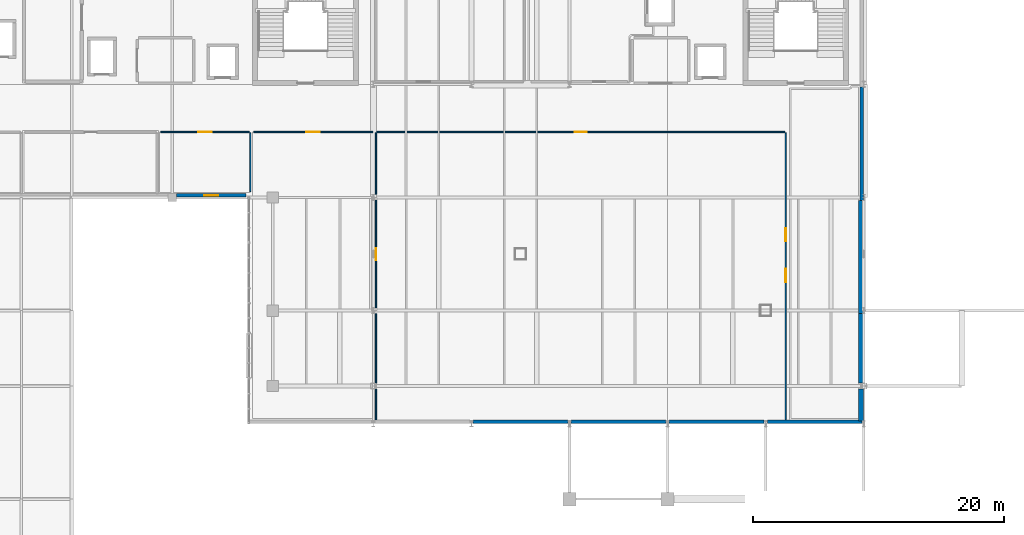
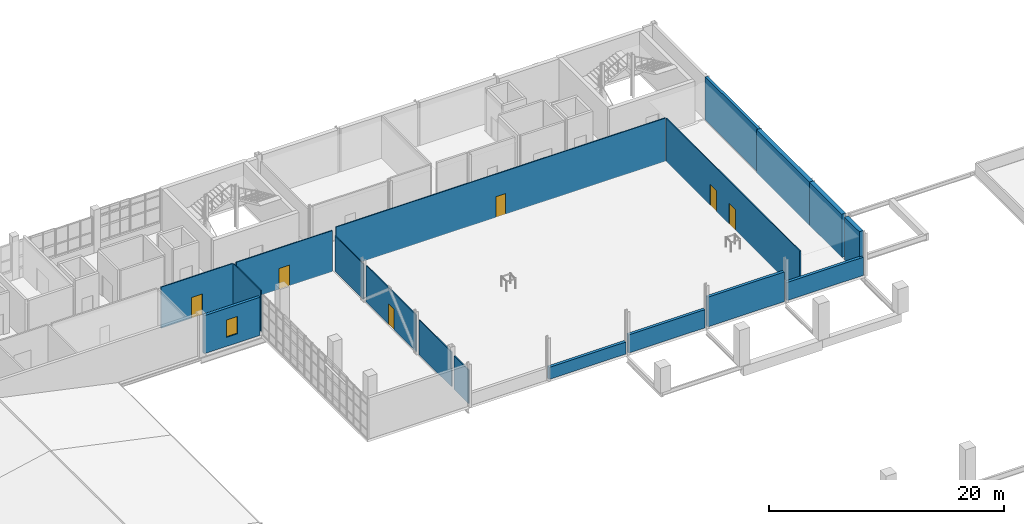
# One storey, part 32 of 38: 18 walls, 6 doors, 1 window, 7 openings.
"""IFC4 building model written with IfcOpenShell, lengths in metres."""

from ifc_helpers import new_model, si_unit, derived_unit, direction, frame, frame_2d, origin, place, context, subcontext, project, spatial, rectangle, extrude, material, layer, layer_set, type_object, element, fill, save


model = new_model("IFC4")

# Units and contexts
model_context = context("Model", 3, precision=1e-05, world=origin(), true_north=direction((0.0, 1.0)))
body_context = subcontext(model_context, "Body", "Model", "MODEL_VIEW")
ifc_project = project(units=[si_unit("LENGTHUNIT", "METRE"), si_unit("AREAUNIT", "SQUARE_METRE"), si_unit("VOLUMEUNIT", "CUBIC_METRE"), si_unit("PLANEANGLEUNIT", "RADIAN"), si_unit("MASSUNIT", "GRAM", prefix="KILO"), derived_unit("THERMALTRANSMITTANCEUNIT", [(si_unit("POWERUNIT", "WATT"), 1), (si_unit("LENGTHUNIT", "METRE"), -2), (si_unit("THERMODYNAMICTEMPERATUREUNIT", "KELVIN"), -1)])], contexts=[model_context])

# Site, building, storey
site_placement = place(None, origin())
site = spatial("IfcSite", under=ifc_project, at=site_placement, CompositionType="ELEMENT")
building_placement = place(site_placement, origin())
building = spatial("IfcBuilding", under=site, at=building_placement, Name="Nallur Shell Playhouse", CompositionType="ELEMENT")
storey_placement = place(building_placement, frame((0.0, 0.0, 24.300048828125)))
storey = spatial("IfcBuildingStorey", under=building, at=storey_placement, Name="L06", CompositionType="ELEMENT", Elevation=24.300048828125)

# Walls
ifc_material_1 = material(Name="Precast concrete M40", Category="concrete")
ifc_layer_1 = layer(ifc_material_1, 0.260009765625)
ifc_layer_set_1 = layer_set([ifc_layer_1], Name="Precast concrete M40")
wall_type_1 = type_object("IfcWallType", Name="WL-EXT-CLAD260", PredefinedType="ELEMENTEDWALL", material=ifc_layer_set_1)
wall_1_placement = place(storey_placement, frame((102.85009765625, 73.76708984375, 0.0), z_axis=(0.0, 0.0, 1.0), x_axis=(0.0, -1.0, 0.0)))
element("IfcWall", 1, at=wall_1_placement, inside=storey, type_object=wall_type_1, Name="L06 exterior wall EW-L06-240", PredefinedType="ELEMENTEDWALL", context=body_context, shape_type="SweptSolid", body=[
    extrude(rectangle(XDim=9.0, YDim=0.260009765625, at=frame_2d((4.5, 0.0))), origin(), (0.0, 0.0, 1.0), 4.5),
])
ifc_material_2 = material(Name="Concrete M30", Category="concrete")
ifc_layer_2 = layer(ifc_material_2, 0.280029296875)
ifc_layer_set_2 = layer_set([ifc_layer_2], Name="Concrete M30")
wall_type_2 = type_object("IfcWallType", Name="WL-EXT-INS280", PredefinedType="STANDARD", material=ifc_layer_set_2)
wall_2_placement = place(storey_placement, frame((102.85009765625, 47.159912109375, 0.0), z_axis=(0.0, 0.0, 1.0), x_axis=(-1.0, 0.0, 0.0)))
element("IfcWall", 2, at=wall_2_placement, inside=storey, type_object=wall_type_2, Name="L06 exterior wall EW-L06-244", PredefinedType="STANDARD", context=body_context, shape_type="SweptSolid", body=[
    extrude(rectangle(XDim=7.51708984375, YDim=0.280029296875, at=frame_2d((3.758544921875, 0.0))), origin(), (0.0, 0.0, 1.0), 1.89306640625),
])
wall_3_placement = place(storey_placement, frame((95.06689453125, 47.159912109375, 0.0), z_axis=(0.0, 0.0, 1.0), x_axis=(-1.0, 0.0, 0.0)))
element("IfcWall", 3, at=wall_3_placement, inside=storey, type_object=wall_type_2, Name="L06 exterior wall EW-L06-245", PredefinedType="STANDARD", context=body_context, shape_type="SweptSolid", body=[
    extrude(rectangle(XDim=7.533935546875, YDim=0.280029296875, at=frame_2d((3.76708984375, 0.0))), origin(), (0.0, 0.0, 1.0), 3.087646484375),
])
wall_4_placement = place(storey_placement, frame((87.26708984375, 47.159912109375, 0.0), z_axis=(0.0, 0.0, 1.0), x_axis=(-1.0, 0.0, 0.0)))
element("IfcWall", 4, at=wall_4_placement, inside=storey, type_object=wall_type_2, Name="L06 exterior wall EW-L06-246", PredefinedType="STANDARD", context=body_context, shape_type="SweptSolid", body=[
    extrude(rectangle(XDim=7.5341796875, YDim=0.280029296875, at=frame_2d((3.76708984375, 0.0))), origin(), (0.0, 0.0, 1.0), 1.89306640625),
])
wall_5_placement = place(storey_placement, frame((79.467041015625, 47.159912109375, 0.0), z_axis=(0.0, 0.0, 1.0), x_axis=(-1.0, 0.0, 0.0)))
element("IfcWall", 5, at=wall_5_placement, inside=storey, type_object=wall_type_2, Name="L06 exterior wall EW-L06-247", PredefinedType="STANDARD", context=body_context, shape_type="SweptSolid", body=[
    extrude(rectangle(XDim=7.533935546875, YDim=0.280029296875, at=frame_2d((3.76708984375, 0.0))), origin(), (0.0, 0.0, 1.0), 1.25),
])

# Wall, opening, window
wall_6_placement = place(storey_placement, frame((53.85009765625, 65.159912109375, 0.0), z_axis=(0.0, 0.0, 1.0), x_axis=(-1.0, 0.0, 0.0)))
wall_6 = element("IfcWall", 6, at=wall_6_placement, inside=storey, type_object=wall_type_2, Name="L06 exterior wall EW-L06-250", PredefinedType="STANDARD", context=body_context, shape_type="SweptSolid", body=[
    extrude(rectangle(XDim=5.51708984375, YDim=0.280029296875, at=frame_2d((2.758544921875, 0.0))), origin(), (0.0, 0.0, 1.0), 3.96484375),
])
opening_1_placement = place(wall_6_placement, frame((2.208984375, 0.0, 0.949951171875)))
opening_1 = element("IfcOpeningElement", 7, at=opening_1_placement, cuts=wall_6, Name="Opening WN-07", PredefinedType="OPENING", context=body_context, shape_type="SweptSolid", body=[
    extrude(rectangle(XDim=1.10009765625, YDim=1.800048828125, at=frame_2d((0.550048828125, 0.89990234375))), frame((0.0, 0.14990234375, 0.0), z_axis=(0.0, -1.0, 0.0), x_axis=(1.0, 0.0, 0.0)), (0.0, 0.0, 1.0), 0.300048828125),
])
ifc_material_3 = material(Name="Thermally Broken Aluminium Acoustic Double-Glazed Window", Category="aluminium")
window_type = type_object("IfcWindowType", Name="WN-TYPE-07", PartitioningType="SINGLE_PANEL", PredefinedType="WINDOW", material=ifc_material_3)
window_placement = place(opening_1_placement, origin())
window = element("IfcWindow", 8, at=window_placement, inside=storey, type_object=window_type, Name="L06 facade module window 103", OverallHeight=1.800048828125, OverallWidth=1.10009765625, PartitioningType="SINGLE_PANEL", PredefinedType="WINDOW", context=body_context, shape_type="SweptSolid", body=[
    extrude(rectangle(XDim=1.10009765625, YDim=1.800048828125, at=frame_2d((0.550048828125, 0.89990234375))), frame((0.0, 0.030029296875, 0.0), z_axis=(0.0, -1.0, 0.0), x_axis=(1.0, 0.0, 0.0)), (0.0, 0.0, 1.0), 0.06005859375),
])
fill(opening_1, window)

# Walls
ifc_material_4 = material(Name="Concrete M40", Category="concrete")
ifc_layer_3 = layer(ifc_material_4, 0.39990234375)
ifc_layer_set_3 = layer_set([ifc_layer_3], Name="Concrete M40")
wall_type_3 = type_object("IfcWallType", Name="WL-EXT-RC400", PredefinedType="STANDARD", material=ifc_layer_set_3)
wall_7_placement = place(storey_placement, frame((102.780029296875, 64.76708984375, 0.0), z_axis=(0.0, 0.0, 1.0), x_axis=(0.0, -1.0, 0.0)))
element("IfcWall", 9, at=wall_7_placement, inside=storey, type_object=wall_type_3, Name="L06 exterior wall EW-L06-241", PredefinedType="STANDARD", context=body_context, shape_type="SweptSolid", body=[
    extrude(rectangle(XDim=9.0, YDim=0.39990234375, at=frame_2d((4.5, 0.0))), origin(), (0.0, 0.0, 1.0), 4.5),
])
wall_8_placement = place(storey_placement, frame((102.780029296875, 55.76708984375, 0.0), z_axis=(0.0, 0.0, 1.0), x_axis=(0.0, -1.0, 0.0)))
element("IfcWall", 10, at=wall_8_placement, inside=storey, type_object=wall_type_3, Name="L06 exterior wall EW-L06-242", PredefinedType="STANDARD", context=body_context, shape_type="SweptSolid", body=[
    extrude(rectangle(XDim=5.5341796875, YDim=0.39990234375, at=frame_2d((2.76708984375, 0.0))), origin(), (0.0, 0.0, 1.0), 4.5),
])
wall_9_placement = place(storey_placement, frame((102.780029296875, 49.76708984375, 0.0), z_axis=(0.0, 0.0, 1.0), x_axis=(0.0, -1.0, 0.0)))
element("IfcWall", 11, at=wall_9_placement, inside=storey, type_object=wall_type_3, Name="L06 exterior wall EW-L06-243", PredefinedType="STANDARD", context=body_context, shape_type="SweptSolid", body=[
    extrude(rectangle(XDim=2.5341796875, YDim=0.39990234375, at=frame_2d((1.26708984375, 0.0))), origin(), (0.0, 0.0, 1.0), 4.5),
])

# Wall, opening, door
ifc_material_5 = material(Name="Double-Layer Fire-Rated Gypsum Stud Partition")
ifc_layer_4 = layer(ifc_material_5, 0.10009765625)
ifc_layer_set_4 = layer_set([ifc_layer_4], Name="Double-Layer Fire-Rated Gypsum Stud Partition")
wall_type_4 = type_object("IfcWallType", Name="WL-PART-DRY100", PredefinedType="PARTITIONING", material=ifc_layer_set_4)
wall_10_placement = place(storey_placement, frame((64.27001953125, 70.199951171875, 0.0), z_axis=(0.0, 0.0, 1.0), x_axis=(1.0, 0.0, 0.0)))
wall_10 = element("IfcWall", 12, at=wall_10_placement, inside=storey, type_object=wall_type_4, Name="Main Stage Walkable Steel Gridiron Deck partition IW-L06-0393", PredefinedType="PARTITIONING", context=body_context, shape_type="SweptSolid", body=[
    extrude(rectangle(XDim=32.4599609375, YDim=0.10009765625, at=frame_2d((16.22998046875, 0.0))), origin(), (0.0, 0.0, 1.0), 4.5),
])
opening_2_placement = place(wall_10_placement, frame((15.7548828125, 0.0, 0.0)))
opening_2 = element("IfcOpeningElement", 13, at=opening_2_placement, cuts=wall_10, Name="Opening ID-04", PredefinedType="OPENING", context=body_context, shape_type="SweptSolid", body=[
    extrude(rectangle(XDim=0.949951171875, YDim=2.14990234375, at=frame_2d((0.47509765625, 1.074951171875))), frame((0.0, 0.06005859375, 0.0), z_axis=(0.0, -1.0, 0.0), x_axis=(1.0, 0.0, 0.0)), (0.0, 0.0, 1.0), 0.1201171875),
])
ifc_material_6 = material(Name="Solid-Core Engineered Timber Door", Category="wood")
door_type_1 = type_object("IfcDoorType", Name="DR-INT-SGL950R", OperationType="SINGLE_SWING_RIGHT", PredefinedType="DOOR", material=ifc_material_6)
door_1_placement = place(opening_2_placement, origin())
door_1 = element("IfcDoor", 14, at=door_1_placement, inside=storey, type_object=door_type_1, Name="Main Stage Walkable Steel Gridiron Deck door 1", OperationType="SINGLE_SWING_RIGHT", OverallHeight=2.14990234375, OverallWidth=0.949951171875, PredefinedType="DOOR", context=body_context, shape_type="SweptSolid", body=[
    extrude(rectangle(XDim=0.949951171875, YDim=2.14990234375, at=frame_2d((0.47509765625, 1.074951171875))), frame((0.0, 0.02490234375, 0.0), z_axis=(0.0, -1.0, 0.0), x_axis=(1.0, 0.0, 0.0)), (0.0, 0.0, 1.0), 0.050048828125),
])
fill(opening_2, door_1)

# Wall, openings, doors
wall_11_placement = place(storey_placement, frame((96.800048828125, 70.1298828125, 0.0), z_axis=(0.0, 0.0, 1.0), x_axis=(0.0, -1.0, 0.0)))
wall_11 = element("IfcWall", 15, at=wall_11_placement, inside=storey, type_object=wall_type_4, Name="Main Stage Walkable Steel Gridiron Deck partition IW-L06-0394", PredefinedType="PARTITIONING", context=body_context, shape_type="SweptSolid", body=[
    extrude(rectangle(XDim=22.825927734375, YDim=0.10009765625, at=frame_2d((11.4130859375, 0.0))), origin(), (0.0, 0.0, 1.0), 4.5),
])
opening_3_placement = place(wall_11_placement, frame((10.804931640625, 0.0, 0.0)))
opening_3 = element("IfcOpeningElement", 16, at=opening_3_placement, cuts=wall_11, Name="Opening ID-01", PredefinedType="OPENING", context=body_context, shape_type="SweptSolid", body=[
    extrude(rectangle(XDim=1.050048828125, YDim=2.14990234375, at=frame_2d((0.52490234375, 1.074951171875))), frame((0.0, 0.06005859375, 0.0), z_axis=(0.0, -1.0, 0.0), x_axis=(1.0, 0.0, 0.0)), (0.0, 0.0, 1.0), 0.1201171875),
])
opening_4_placement = place(wall_11_placement, frame((7.56298828125, 0.0, 0.0)))
opening_4 = element("IfcOpeningElement", 17, at=opening_4_placement, cuts=wall_11, Name="Opening ID-02", PredefinedType="OPENING", context=body_context, shape_type="SweptSolid", body=[
    extrude(rectangle(XDim=1.050048828125, YDim=2.14990234375, at=frame_2d((0.52490234375, 1.074951171875))), frame((0.0, 0.06005859375, 0.0), z_axis=(0.0, -1.0, 0.0), x_axis=(1.0, 0.0, 0.0)), (0.0, 0.0, 1.0), 0.1201171875),
])
ifc_material_7 = material(Name="Solid-Core Engineered Timber Fire Door", Category="wood")
door_type_2 = type_object("IfcDoorType", Name="DR-INT-SGL1050L", OperationType="SINGLE_SWING_LEFT", PredefinedType="DOOR", material=ifc_material_7)
door_2_placement = place(opening_3_placement, origin())
door_2 = element("IfcDoor", 18, at=door_2_placement, inside=storey, type_object=door_type_2, Name="Main Stage Walkable Steel Gridiron Deck door 2", OperationType="SINGLE_SWING_LEFT", OverallHeight=2.14990234375, OverallWidth=1.050048828125, PredefinedType="DOOR", context=body_context, shape_type="SweptSolid", body=[
    extrude(rectangle(XDim=1.050048828125, YDim=2.14990234375, at=frame_2d((0.52490234375, 1.074951171875))), frame((0.0, 0.02490234375, 0.0), z_axis=(0.0, -1.0, 0.0), x_axis=(1.0, 0.0, 0.0)), (0.0, 0.0, 1.0), 0.050048828125),
])
fill(opening_3, door_2)
door_type_3 = type_object("IfcDoorType", Name="DR-INT-SGL1050R", OperationType="SINGLE_SWING_RIGHT", PredefinedType="DOOR", material=ifc_material_7)
door_3_placement = place(opening_4_placement, origin())
door_3 = element("IfcDoor", 19, at=door_3_placement, inside=storey, type_object=door_type_3, Name="Fly Tower & Stage Smoke Extract AHU Plant door 1", OperationType="SINGLE_SWING_RIGHT", OverallHeight=2.14990234375, OverallWidth=1.050048828125, PredefinedType="DOOR", context=body_context, shape_type="SweptSolid", body=[
    extrude(rectangle(XDim=1.050048828125, YDim=2.14990234375, at=frame_2d((0.52490234375, 1.074951171875))), frame((0.0, 0.02490234375, 0.0), z_axis=(0.0, -1.0, 0.0), x_axis=(1.0, 0.0, 0.0)), (0.0, 0.0, 1.0), 0.050048828125),
])
fill(opening_4, door_3)

# Walls
wall_12_placement = place(storey_placement, frame((64.199951171875, 47.303955078125, 0.0), z_axis=(0.0, 0.0, 1.0), x_axis=(0.0, 1.0, 0.0)))
element("IfcWall", 20, at=wall_12_placement, inside=storey, type_object=wall_type_4, Name="Main Stage Walkable Steel Gridiron Deck partition IW-L06-0395", PredefinedType="PARTITIONING", context=body_context, shape_type="SweptSolid", body=[
    extrude(rectangle(XDim=2.4560546875, YDim=0.10009765625, at=frame_2d((1.22802734375, 0.0))), origin(), (0.0, 0.0, 1.0), 3.510009765625),
])
wall_13_placement = place(storey_placement, frame((64.199951171875, 50.239990234375, 0.0), z_axis=(0.0, 0.0, 1.0), x_axis=(0.0, 1.0, 0.0)))
element("IfcWall", 21, at=wall_13_placement, inside=storey, type_object=wall_type_4, Name="Main Stage Walkable Steel Gridiron Deck partition IW-L06-0396", PredefinedType="PARTITIONING", context=body_context, shape_type="SweptSolid", body=[
    extrude(rectangle(XDim=5.52001953125, YDim=0.10009765625, at=frame_2d((2.760009765625, 0.0))), origin(), (0.0, 0.0, 1.0), 3.60986328125),
])

# Wall, opening, door
wall_14_placement = place(storey_placement, frame((64.199951171875, 56.239990234375, 0.0), z_axis=(0.0, 0.0, 1.0), x_axis=(0.0, 1.0, 0.0)))
wall_14 = element("IfcWall", 22, at=wall_14_placement, inside=storey, type_object=wall_type_4, Name="Main Stage Walkable Steel Gridiron Deck partition IW-L06-0397", PredefinedType="PARTITIONING", context=body_context, shape_type="SweptSolid", body=[
    extrude(rectangle(XDim=8.52001953125, YDim=0.10009765625, at=frame_2d((4.260009765625, 0.0))), origin(), (0.0, 0.0, 1.0), 3.81005859375),
])
opening_5_placement = place(wall_14_placement, frame((3.784912109375, 0.0, 0.0)))
opening_5 = element("IfcOpeningElement", 23, at=opening_5_placement, cuts=wall_14, Name="Opening ID-03", PredefinedType="OPENING", context=body_context, shape_type="SweptSolid", body=[
    extrude(rectangle(XDim=0.949951171875, YDim=2.14990234375, at=frame_2d((0.47509765625, 1.074951171875))), frame((0.0, 0.06005859375, 0.0), z_axis=(0.0, -1.0, 0.0), x_axis=(1.0, 0.0, 0.0)), (0.0, 0.0, 1.0), 0.1201171875),
])
door_type_4 = type_object("IfcDoorType", Name="DR-INT-SGL950L", OperationType="SINGLE_SWING_LEFT", PredefinedType="DOOR", material=ifc_material_6)
door_4_placement = place(opening_5_placement, origin())
door_4 = element("IfcDoor", 24, at=door_4_placement, inside=storey, type_object=door_type_4, Name="Motorised Fly Winch & Rigging Control Room door 2", OperationType="SINGLE_SWING_LEFT", OverallHeight=2.14990234375, OverallWidth=0.949951171875, PredefinedType="DOOR", context=body_context, shape_type="SweptSolid", body=[
    extrude(rectangle(XDim=0.949951171875, YDim=2.14990234375, at=frame_2d((0.47509765625, 1.074951171875))), frame((0.0, 0.02490234375, 0.0), z_axis=(0.0, -1.0, 0.0), x_axis=(1.0, 0.0, 0.0)), (0.0, 0.0, 1.0), 0.050048828125),
])
fill(opening_5, door_4)

# Wall
wall_15_placement = place(storey_placement, frame((64.199951171875, 65.239990234375, 0.0), z_axis=(0.0, 0.0, 1.0), x_axis=(0.0, 1.0, 0.0)))
element("IfcWall", 25, at=wall_15_placement, inside=storey, type_object=wall_type_4, Name="Main Stage Walkable Steel Gridiron Deck partition IW-L06-0398", PredefinedType="PARTITIONING", context=body_context, shape_type="SweptSolid", body=[
    extrude(rectangle(XDim=4.889892578125, YDim=0.10009765625, at=frame_2d((2.44482421875, 0.0))), origin(), (0.0, 0.0, 1.0), 3.659912109375),
])

# Wall, opening, door
wall_16_placement = place(storey_placement, frame((54.469970703125, 70.199951171875, 0.0), z_axis=(0.0, 0.0, 1.0), x_axis=(1.0, 0.0, 0.0)))
wall_16 = element("IfcWall", 26, at=wall_16_placement, inside=storey, type_object=wall_type_4, Name="Motorised Fly Winch & Rigging Control Room partition IW-L06-0399", PredefinedType="PARTITIONING", context=body_context, shape_type="SweptSolid", body=[
    extrude(rectangle(XDim=9.4599609375, YDim=0.10009765625, at=frame_2d((4.72998046875, 0.0))), origin(), (0.0, 0.0, 1.0), 4.27001953125),
])
opening_6_placement = place(wall_16_placement, frame((4.205078125, 0.0, 0.0)))
opening_6 = element("IfcOpeningElement", 27, at=opening_6_placement, cuts=wall_16, Name="Opening ID-02", PredefinedType="OPENING", context=body_context, shape_type="SweptSolid", body=[
    extrude(rectangle(XDim=1.050048828125, YDim=2.14990234375, at=frame_2d((0.52490234375, 1.074951171875))), frame((0.0, 0.06005859375, 0.0), z_axis=(0.0, -1.0, 0.0), x_axis=(1.0, 0.0, 0.0)), (0.0, 0.0, 1.0), 0.1201171875),
])
door_5_placement = place(opening_6_placement, origin())
door_5 = element("IfcDoor", 28, at=door_5_placement, inside=storey, type_object=door_type_3, Name="Motorised Fly Winch & Rigging Control Room door 1", OperationType="SINGLE_SWING_RIGHT", OverallHeight=2.14990234375, OverallWidth=1.050048828125, PredefinedType="DOOR", context=body_context, shape_type="SweptSolid", body=[
    extrude(rectangle(XDim=1.050048828125, YDim=2.14990234375, at=frame_2d((0.52490234375, 1.074951171875))), frame((0.0, 0.02490234375, 0.0), z_axis=(0.0, -1.0, 0.0), x_axis=(1.0, 0.0, 0.0)), (0.0, 0.0, 1.0), 0.050048828125),
])
fill(opening_6, door_5)

wall_17_placement = place(storey_placement, frame((47.070068359375, 70.199951171875, 0.0), z_axis=(0.0, 0.0, 1.0), x_axis=(1.0, 0.0, 0.0)))
wall_17 = element("IfcWall", 29, at=wall_17_placement, inside=storey, type_object=wall_type_4, Name="Company Green-Room Pantry & Refreshment Bar partition IW-L06-0414", PredefinedType="PARTITIONING", context=body_context, shape_type="SweptSolid", body=[
    extrude(rectangle(XDim=7.059814453125, YDim=0.10009765625, at=frame_2d((3.52978515625, 0.0))), origin(), (0.0, 0.0, 1.0), 4.27001953125),
])
opening_7_placement = place(wall_17_placement, frame((3.0048828125, 0.0, 0.0)))
opening_7 = element("IfcOpeningElement", 30, at=opening_7_placement, cuts=wall_17, Name="Opening ID-01", PredefinedType="OPENING", context=body_context, shape_type="SweptSolid", body=[
    extrude(rectangle(XDim=1.050048828125, YDim=2.14990234375, at=frame_2d((0.52490234375, 1.074951171875))), frame((0.0, 0.06005859375, 0.0), z_axis=(0.0, -1.0, 0.0), x_axis=(1.0, 0.0, 0.0)), (0.0, 0.0, 1.0), 0.1201171875),
])
door_6_placement = place(opening_7_placement, origin())
door_6 = element("IfcDoor", 31, at=door_6_placement, inside=storey, type_object=door_type_2, Name="Company Green-Room Pantry & Refreshment Bar door 1", OperationType="SINGLE_SWING_LEFT", OverallHeight=2.14990234375, OverallWidth=1.050048828125, PredefinedType="DOOR", context=body_context, shape_type="SweptSolid", body=[
    extrude(rectangle(XDim=1.050048828125, YDim=2.14990234375, at=frame_2d((0.52490234375, 1.074951171875))), frame((0.0, 0.02490234375, 0.0), z_axis=(0.0, -1.0, 0.0), x_axis=(1.0, 0.0, 0.0)), (0.0, 0.0, 1.0), 0.050048828125),
])
fill(opening_7, door_6)

# Wall
wall_18_placement = place(storey_placement, frame((54.199951171875, 70.1298828125, 0.0), z_axis=(0.0, 0.0, 1.0), x_axis=(0.0, -1.0, 0.0)))
element("IfcWall", 32, at=wall_18_placement, inside=storey, type_object=wall_type_4, Name="Company Green-Room Pantry & Refreshment Bar partition IW-L06-0415", PredefinedType="PARTITIONING", context=body_context, shape_type="SweptSolid", body=[
    extrude(rectangle(XDim=4.659912109375, YDim=0.10009765625, at=frame_2d((2.330078125, 0.0))), origin(), (0.0, 0.0, 1.0), 4.27001953125),
])

save(model, "model.ifc")
